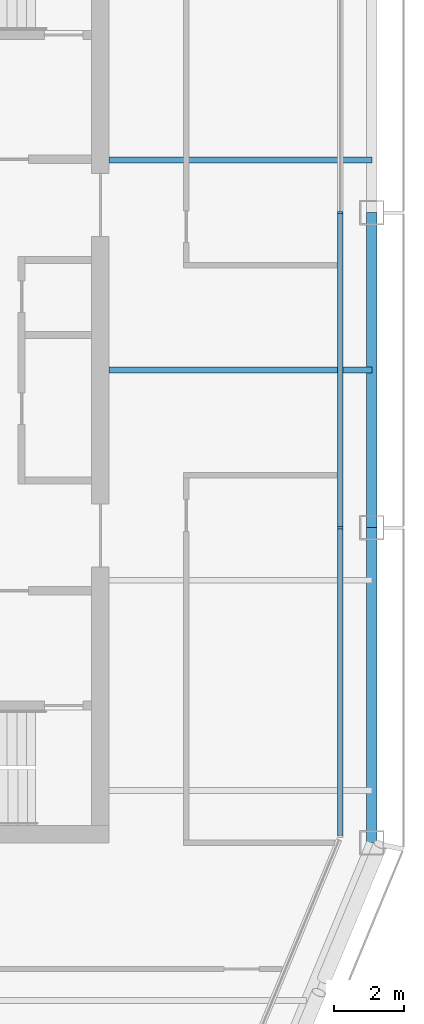
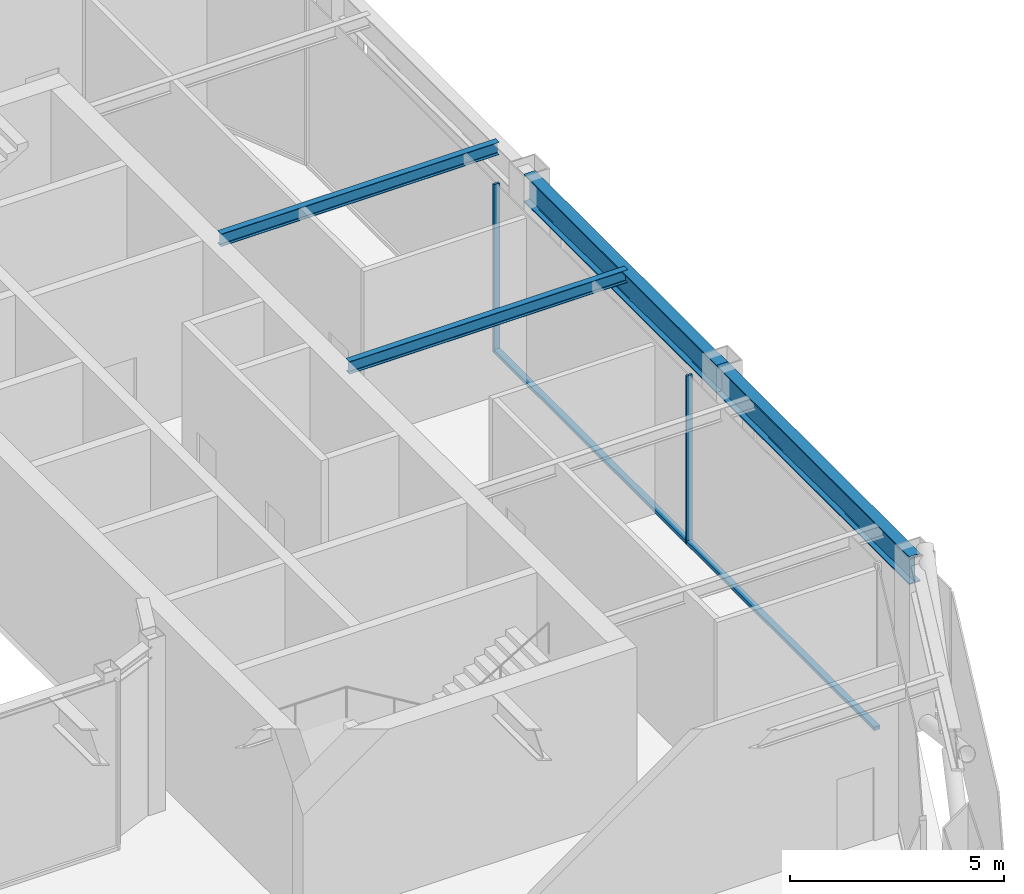
# One storey, part 6 of 17: 4 beams, 4 members, 1 element without a shape of its own.
"""IFC4 building model written with IfcOpenShell, lengths in metres."""

from ifc_helpers import new_model, si_unit, direction, frame, origin, origin_2d, place, context, subcontext, project, spatial, rectangle, i_section, extrude, material, layer, layer_set, material_profile, profile_set, type_object, element, aggregate, save


model = new_model("IFC4")

# Units and contexts
model_context = context("Model", 3, precision=1e-05, world=origin(), true_north=direction((0.0, 1.0)))
body_context = subcontext(model_context, "Body", "Model", "MODEL_VIEW")
ifc_project = project(units=[si_unit("LENGTHUNIT", "METRE"), si_unit("AREAUNIT", "SQUARE_METRE"), si_unit("VOLUMEUNIT", "CUBIC_METRE"), si_unit("PLANEANGLEUNIT", "RADIAN"), si_unit("MASSUNIT", "GRAM", prefix="KILO")], contexts=[model_context])

# Site, building, storey
site_placement = place(None, origin())
site = spatial("IfcSite", under=ifc_project, at=site_placement, CompositionType="ELEMENT")
building_placement = place(site_placement, origin())
building = spatial("IfcBuilding", under=site, at=building_placement, Name="Siwar Civic Tower", CompositionType="ELEMENT")
storey_placement = place(building_placement, frame((0.0, 0.0, 348.199951171875)))
storey = spatial("IfcBuildingStorey", under=building, at=storey_placement, Name="L75", CompositionType="ELEMENT", Elevation=348.199951171875)

# Curtain wall, members
ifc_material_1 = material(Name="Aluminium and glass", Category="aluminium")
ifc_layer = layer(ifc_material_1, 0.159912109375)
ifc_layer_set = layer_set([ifc_layer], Name="Aluminium and glass")
curtain_wall_type = type_object("IfcCurtainWallType", Name="ENV-CW-D", PredefinedType="NOTDEFINED", material=ifc_layer_set)
curtain_wall_placement = place(storey_placement, origin())
curtain_wall = element("IfcCurtainWall", 1, at=curtain_wall_placement, inside=storey, type_object=curtain_wall_type, Name="Curtain wall D E", PredefinedType="NOTDEFINED")
ifc_material_2 = material(Name="Aluminium 6063-T6", Category="aluminium")
ifc_material_profile_1 = material_profile(ifc_material_2, rectangle(XDim=0.159912109375, YDim=0.06005859375, at=origin_2d()), Name="AL 160x60")
ifc_profile_set_1 = profile_set([ifc_material_profile_1], Name="Aluminium 6063-T6")
member_type_1 = type_object("IfcMemberType", Name="ENV-MULLION-D", PredefinedType="MULLION", material=ifc_profile_set_1)
member_1_placement = place(storey_placement, frame((23.85009765625, -4.5, 0.0), z_axis=(0.0, 0.0, 1.0), x_axis=(-1.0, 0.0, 0.0)))
member_1 = element("IfcMember", 2, at=member_1_placement, type_object=member_type_1, Name="Mullion D E 2", PredefinedType="MULLION", context=body_context, shape_type="SweptSolid", body=[
    extrude(rectangle(XDim=0.159912109375, YDim=0.06005859375, at=origin_2d()), origin(), (0.0, 0.0, 1.0), 4.800048828125),
])
member_2_placement = place(storey_placement, frame((23.85009765625, 4.5, 0.0), z_axis=(0.0, 0.0, 1.0), x_axis=(-1.0, 0.0, 0.0)))
member_2 = element("IfcMember", 3, at=member_2_placement, type_object=member_type_1, Name="Mullion D E 3", PredefinedType="MULLION", context=body_context, shape_type="SweptSolid", body=[
    extrude(rectangle(XDim=0.159912109375, YDim=0.06005859375, at=origin_2d()), origin(), (0.0, 0.0, 1.0), 4.800048828125),
])
ifc_material_3 = material(Name="Aluminium 6063-T6", Category="aluminium")
ifc_material_profile_2 = material_profile(ifc_material_3, rectangle(XDim=0.159912109375, YDim=0.10009765625, at=origin_2d()), Name="AL 160x100")
ifc_profile_set_2 = profile_set([ifc_material_profile_2], Name="Aluminium 6063-T6")
member_type_2 = type_object("IfcMemberType", Name="ENV-TRANSOM-D", PredefinedType="USERDEFINED", material=ifc_profile_set_2)
member_3_placement = place(storey_placement, frame((23.85009765625, -13.291015625, 0.050048828125), z_axis=(0.0, 1.0, 0.0), x_axis=(-1.0, 0.0, 0.0)))
member_3 = element("IfcMember", 4, at=member_3_placement, type_object=member_type_2, Name="Transom D E 1", ObjectType="TRANSOM", PredefinedType="USERDEFINED", context=body_context, shape_type="SweptSolid", body=[
    extrude(rectangle(XDim=0.159912109375, YDim=0.10009765625, at=origin_2d()), origin(), (0.0, 0.0, 1.0), 8.760986328125),
])
member_4_placement = place(storey_placement, frame((23.85009765625, -4.469970703125, 0.050048828125), z_axis=(0.0, 1.0, 0.0), x_axis=(-1.0, 0.0, 0.0)))
member_4 = element("IfcMember", 5, at=member_4_placement, type_object=member_type_2, Name="Transom D E 2", ObjectType="TRANSOM", PredefinedType="USERDEFINED", context=body_context, shape_type="SweptSolid", body=[
    extrude(rectangle(XDim=0.159912109375, YDim=0.10009765625, at=origin_2d()), origin(), (0.0, 0.0, 1.0), 8.93994140625),
])
aggregate(curtain_wall, [member_1, member_2, member_3, member_4])

# Beams
ifc_material_4 = material(Name="Steel S355", Category="steel")
ifc_material_profile_3 = material_profile(ifc_material_4, i_section(OverallWidth=0.169921875, OverallDepth=0.360107421875, WebThickness=0.008056640625, FlangeThickness=0.0126953125, FilletRadius=0.01806640625, at=origin_2d()), Name="IPE360")
ifc_profile_set_3 = profile_set([ifc_material_profile_3], Name="Steel S355")
beam_type_1 = type_object("IfcBeamType", Name="STR-FB-IPE360", PredefinedType="JOIST", material=ifc_profile_set_3)
for number, where, z_axis, x_axis, name in (
    (6, (17.25, 0.0, 4.6201171875), (1.0, 0.0, 0.0), (0.0, 1.0, 0.0), "L75/bm/F019"),
    (7, (17.25, 6.0, 4.6201171875), (1.0, 0.0, 0.0), (0.0, 1.0, 0.0), "L75/bm/F021"),
):
    element("IfcBeam", number, at=place(storey_placement, frame(where, z_axis=z_axis, x_axis=x_axis)), inside=storey, type_object=beam_type_1, Name=name, PredefinedType="JOIST", context=body_context, shape_type="SweptSolid", body=[
        extrude(i_section(OverallWidth=0.169921875, OverallDepth=0.360107421875, WebThickness=0.008056640625, FlangeThickness=0.0126953125, FilletRadius=0.01806640625, at=origin_2d()), origin(), (0.0, 0.0, 1.0), 7.5),
    ])
ifc_material_5 = material(Name="Steel S355", Category="steel")
ifc_material_profile_4 = material_profile(ifc_material_5, i_section(OverallWidth=0.300048828125, OverallDepth=0.800048828125, WebThickness=0.017578125, FlangeThickness=0.032958984375, FilletRadius=0.030029296875, at=origin_2d()), Name="HEB800")
ifc_profile_set_4 = profile_set([ifc_material_profile_4], Name="Steel S355")
beam_type_2 = type_object("IfcBeamType", Name="STR-SB-HEB800", PredefinedType="BEAM", material=ifc_profile_set_4)
for number, where, z_axis, x_axis, name in (
    (8, (24.75, -13.5, 4.400146484375), (0.0, 1.0, 0.0), (-1.0, 0.0, 0.0), "L75/bm/SE-0"),
    (9, (24.75, -4.5, 4.400146484375), (0.0, 1.0, 0.0), (-1.0, 0.0, 0.0), "L75/bm/SE-1"),
):
    element("IfcBeam", number, at=place(storey_placement, frame(where, z_axis=z_axis, x_axis=x_axis)), inside=storey, type_object=beam_type_2, Name=name, PredefinedType="BEAM", context=body_context, shape_type="SweptSolid", body=[
        extrude(i_section(OverallWidth=0.300048828125, OverallDepth=0.800048828125, WebThickness=0.017578125, FlangeThickness=0.032958984375, FilletRadius=0.030029296875, at=origin_2d()), origin(), (0.0, 0.0, 1.0), 9.0),
    ])

save(model, "model.ifc")
